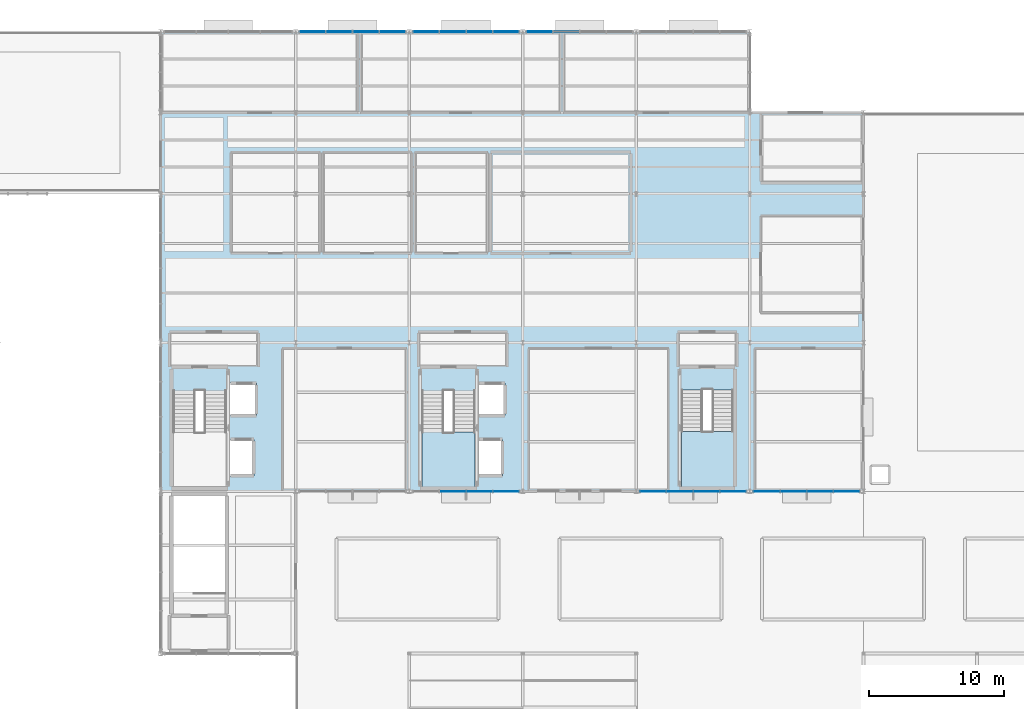
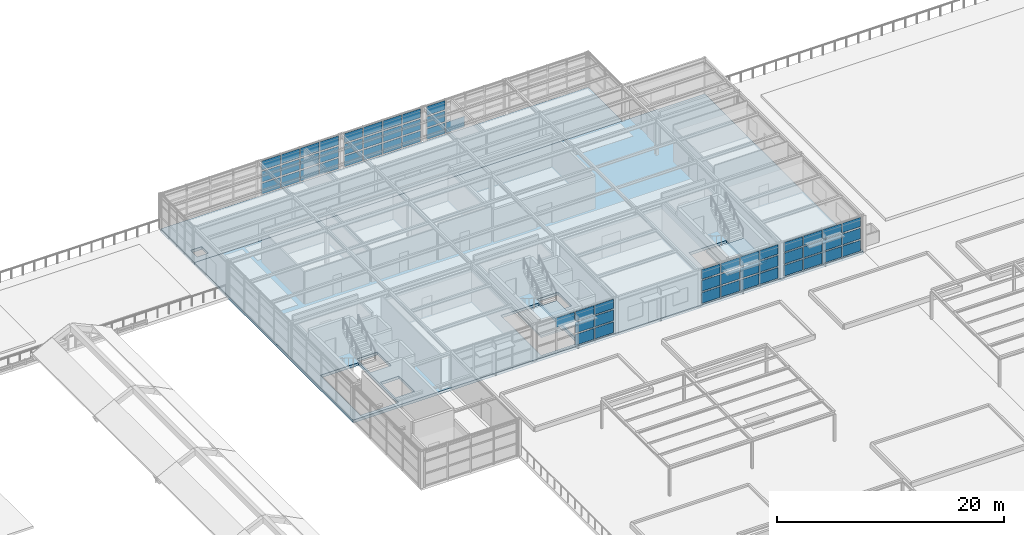
# One storey, part 34 of 49: 59 plates, 4 slabs, 8 elements without a shape of their own.
"""IFC4 building model written with IfcOpenShell, lengths in metres."""

from ifc_helpers import new_model, si_unit, direction, frame, origin, origin_2d, place, context, subcontext, project, spatial, polyline, rectangle, outline, extrude, material, layer, layer_set, type_object, element, aggregate, save


model = new_model("IFC4")

# Units and contexts
model_context = context("Model", 3, precision=1e-05, world=origin(), true_north=direction((0.0, 1.0)))
body_context = subcontext(model_context, "Body", "Model", "MODEL_VIEW")
ifc_project = project(units=[si_unit("LENGTHUNIT", "METRE"), si_unit("AREAUNIT", "SQUARE_METRE"), si_unit("VOLUMEUNIT", "CUBIC_METRE"), si_unit("PLANEANGLEUNIT", "RADIAN"), si_unit("MASSUNIT", "GRAM", prefix="KILO")], contexts=[model_context])

# Site, building, storey
site_placement = place(None, origin())
site = spatial("IfcSite", under=ifc_project, at=site_placement, CompositionType="ELEMENT")
building_placement = place(site_placement, origin())
building = spatial("IfcBuilding", under=site, at=building_placement, Name="Sitalva Quay Ferry Terminal", CompositionType="ELEMENT")
storey_placement = place(building_placement, frame((0.0, 0.0, 10.199951171875)))
storey = spatial("IfcBuildingStorey", under=building, at=storey_placement, Name="L03", CompositionType="ELEMENT", Elevation=10.199951171875)

# Curtain wall, plates
ifc_material_1 = material(Name="Anodised Aluminium & Low-E Glazing", Category="aluminium")
ifc_layer_1 = layer(ifc_material_1, 0.159912109375)
ifc_layer_set_1 = layer_set([ifc_layer_1], Name="Anodised Aluminium & Low-E Glazing")
curtain_wall_type = type_object("IfcCurtainWallType", Name="CW_Office_Unitised", PredefinedType="USERDEFINED", material=ifc_layer_set_1)
curtain_wall_1_placement = place(storey_placement, origin())
curtain_wall_1 = element("IfcCurtainWall", 1, at=curtain_wall_1_placement, inside=storey, type_object=curtain_wall_type, Name="L03 maritime bridge south glazing (CW-L03-128)", ObjectType="CURTAIN_WALL", PredefinedType="USERDEFINED")
ifc_material_2 = material(Name="Solar-Control Low-E Glazing", Category="glass")
ifc_layer_2 = layer(ifc_material_2, 0.031982421875)
ifc_layer_set_2 = layer_set([ifc_layer_2], Name="Solar-Control Low-E Glazing")
plate_type_1 = type_object("IfcPlateType", Name="Panel_Solar_IGU_32", PredefinedType="CURTAIN_PANEL", material=ifc_layer_set_2)
plate_1_placement = place(storey_placement, frame((95.614990234375, 78.0, 2.76318359375), z_axis=(0.0, 0.0, 1.0), x_axis=(1.0, 0.0, 0.0)))
plate_1 = element("IfcPlate", 2, at=plate_1_placement, type_object=plate_type_1, Name="CW-L03-128-P1-2", PredefinedType="CURTAIN_PANEL", context=body_context, shape_type="SweptSolid", body=[
    extrude(rectangle(XDim=1.89501953125, YDim=0.031982421875, at=origin_2d()), origin(), (0.0, 0.0, 1.0), 1.006591796875),
])
plate_2_placement = place(storey_placement, frame((97.5849609375, 78.0, 1.456787109375), z_axis=(0.0, 0.0, 1.0), x_axis=(1.0, 0.0, 0.0)))
plate_2 = element("IfcPlate", 3, at=plate_2_placement, type_object=plate_type_1, Name="CW-L03-128-P2-1", PredefinedType="CURTAIN_PANEL", context=body_context, shape_type="SweptSolid", body=[
    extrude(rectangle(XDim=1.89501953125, YDim=0.031982421875, at=origin_2d()), origin(), (0.0, 0.0, 1.0), 1.15673828125),
])
plate_3_placement = place(storey_placement, frame((97.5849609375, 78.0, 2.76318359375), z_axis=(0.0, 0.0, 1.0), x_axis=(1.0, 0.0, 0.0)))
plate_3 = element("IfcPlate", 4, at=plate_3_placement, type_object=plate_type_1, Name="CW-L03-128-P2-2", PredefinedType="CURTAIN_PANEL", context=body_context, shape_type="SweptSolid", body=[
    extrude(rectangle(XDim=1.89501953125, YDim=0.031982421875, at=origin_2d()), origin(), (0.0, 0.0, 1.0), 1.006591796875),
])
plate_4_placement = place(storey_placement, frame((99.554931640625, 78.0, 1.456787109375), z_axis=(0.0, 0.0, 1.0), x_axis=(1.0, 0.0, 0.0)))
plate_4 = element("IfcPlate", 5, at=plate_4_placement, type_object=plate_type_1, Name="CW-L03-128-P3-1", PredefinedType="CURTAIN_PANEL", context=body_context, shape_type="SweptSolid", body=[
    extrude(rectangle(XDim=1.89501953125, YDim=0.031982421875, at=origin_2d()), origin(), (0.0, 0.0, 1.0), 1.15673828125),
])
plate_5_placement = place(storey_placement, frame((99.554931640625, 78.0, 2.76318359375), z_axis=(0.0, 0.0, 1.0), x_axis=(1.0, 0.0, 0.0)))
plate_5 = element("IfcPlate", 6, at=plate_5_placement, type_object=plate_type_1, Name="CW-L03-128-P3-2", PredefinedType="CURTAIN_PANEL", context=body_context, shape_type="SweptSolid", body=[
    extrude(rectangle(XDim=1.89501953125, YDim=0.031982421875, at=origin_2d()), origin(), (0.0, 0.0, 1.0), 1.006591796875),
])

curtain_wall_2_placement = place(storey_placement, origin())
curtain_wall_2 = element("IfcCurtainWall", 7, at=curtain_wall_2_placement, inside=storey, type_object=curtain_wall_type, Name="L03 maritime bridge south glazing (CW-L03-129)", ObjectType="CURTAIN_WALL", PredefinedType="USERDEFINED")
plate_6_placement = place(storey_placement, frame((110.445068359375, 78.0, 1.456787109375), z_axis=(0.0, 0.0, 1.0), x_axis=(1.0, 0.0, 0.0)))
plate_6 = element("IfcPlate", 8, at=plate_6_placement, type_object=plate_type_1, Name="CW-L03-129-P0-1", PredefinedType="CURTAIN_PANEL", context=body_context, shape_type="SweptSolid", body=[
    extrude(rectangle(XDim=1.89501953125, YDim=0.031982421875, at=origin_2d()), origin(), (0.0, 0.0, 1.0), 1.15673828125),
])
plate_7_placement = place(storey_placement, frame((110.445068359375, 78.0, 2.76318359375), z_axis=(0.0, 0.0, 1.0), x_axis=(1.0, 0.0, 0.0)))
plate_7 = element("IfcPlate", 9, at=plate_7_placement, type_object=plate_type_1, Name="CW-L03-129-P0-2", PredefinedType="CURTAIN_PANEL", context=body_context, shape_type="SweptSolid", body=[
    extrude(rectangle(XDim=1.89501953125, YDim=0.031982421875, at=origin_2d()), origin(), (0.0, 0.0, 1.0), 1.006591796875),
])
plate_8_placement = place(storey_placement, frame((112.4150390625, 78.0, 1.456787109375), z_axis=(0.0, 0.0, 1.0), x_axis=(1.0, 0.0, 0.0)))
plate_8 = element("IfcPlate", 10, at=plate_8_placement, type_object=plate_type_1, Name="CW-L03-129-P1-1", PredefinedType="CURTAIN_PANEL", context=body_context, shape_type="SweptSolid", body=[
    extrude(rectangle(XDim=1.89501953125, YDim=0.031982421875, at=origin_2d()), origin(), (0.0, 0.0, 1.0), 1.15673828125),
])
plate_9_placement = place(storey_placement, frame((112.4150390625, 78.0, 2.76318359375), z_axis=(0.0, 0.0, 1.0), x_axis=(1.0, 0.0, 0.0)))
plate_9 = element("IfcPlate", 11, at=plate_9_placement, type_object=plate_type_1, Name="CW-L03-129-P1-2", PredefinedType="CURTAIN_PANEL", context=body_context, shape_type="SweptSolid", body=[
    extrude(rectangle(XDim=1.89501953125, YDim=0.031982421875, at=origin_2d()), origin(), (0.0, 0.0, 1.0), 1.006591796875),
])
plate_10_placement = place(storey_placement, frame((114.385009765625, 78.0, 1.456787109375), z_axis=(0.0, 0.0, 1.0), x_axis=(1.0, 0.0, 0.0)))
plate_10 = element("IfcPlate", 12, at=plate_10_placement, type_object=plate_type_1, Name="CW-L03-129-P2-1", PredefinedType="CURTAIN_PANEL", context=body_context, shape_type="SweptSolid", body=[
    extrude(rectangle(XDim=1.89501953125, YDim=0.031982421875, at=origin_2d()), origin(), (0.0, 0.0, 1.0), 1.15673828125),
])
plate_11_placement = place(storey_placement, frame((114.385009765625, 78.0, 2.76318359375), z_axis=(0.0, 0.0, 1.0), x_axis=(1.0, 0.0, 0.0)))
plate_11 = element("IfcPlate", 13, at=plate_11_placement, type_object=plate_type_1, Name="CW-L03-129-P2-2", PredefinedType="CURTAIN_PANEL", context=body_context, shape_type="SweptSolid", body=[
    extrude(rectangle(XDim=1.89501953125, YDim=0.031982421875, at=origin_2d()), origin(), (0.0, 0.0, 1.0), 1.006591796875),
])
plate_12_placement = place(storey_placement, frame((116.35498046875, 78.0, 1.456787109375), z_axis=(0.0, 0.0, 1.0), x_axis=(1.0, 0.0, 0.0)))
plate_12 = element("IfcPlate", 14, at=plate_12_placement, type_object=plate_type_1, Name="CW-L03-129-P3-1", PredefinedType="CURTAIN_PANEL", context=body_context, shape_type="SweptSolid", body=[
    extrude(rectangle(XDim=1.89501953125, YDim=0.031982421875, at=origin_2d()), origin(), (0.0, 0.0, 1.0), 1.15673828125),
])
plate_13_placement = place(storey_placement, frame((116.35498046875, 78.0, 2.76318359375), z_axis=(0.0, 0.0, 1.0), x_axis=(1.0, 0.0, 0.0)))
plate_13 = element("IfcPlate", 15, at=plate_13_placement, type_object=plate_type_1, Name="CW-L03-129-P3-2", PredefinedType="CURTAIN_PANEL", context=body_context, shape_type="SweptSolid", body=[
    extrude(rectangle(XDim=1.89501953125, YDim=0.031982421875, at=origin_2d()), origin(), (0.0, 0.0, 1.0), 1.006591796875),
])

curtain_wall_3_placement = place(storey_placement, origin())
curtain_wall_3 = element("IfcCurtainWall", 16, at=curtain_wall_3_placement, inside=storey, type_object=curtain_wall_type, Name="L03 maritime bridge south glazing (CW-L03-130)", ObjectType="CURTAIN_WALL", PredefinedType="USERDEFINED")
plate_14_placement = place(storey_placement, frame((118.844970703125, 78.0, 1.456787109375), z_axis=(0.0, 0.0, 1.0), x_axis=(1.0, 0.0, 0.0)))
plate_14 = element("IfcPlate", 17, at=plate_14_placement, type_object=plate_type_1, Name="CW-L03-130-P0-1", PredefinedType="CURTAIN_PANEL", context=body_context, shape_type="SweptSolid", body=[
    extrude(rectangle(XDim=1.89501953125, YDim=0.031982421875, at=origin_2d()), origin(), (0.0, 0.0, 1.0), 1.15673828125),
])
plate_15_placement = place(storey_placement, frame((118.844970703125, 78.0, 2.76318359375), z_axis=(0.0, 0.0, 1.0), x_axis=(1.0, 0.0, 0.0)))
plate_15 = element("IfcPlate", 18, at=plate_15_placement, type_object=plate_type_1, Name="CW-L03-130-P0-2", PredefinedType="CURTAIN_PANEL", context=body_context, shape_type="SweptSolid", body=[
    extrude(rectangle(XDim=1.89501953125, YDim=0.031982421875, at=origin_2d()), origin(), (0.0, 0.0, 1.0), 1.006591796875),
])
plate_16_placement = place(storey_placement, frame((120.81494140625, 78.0, 1.456787109375), z_axis=(0.0, 0.0, 1.0), x_axis=(1.0, 0.0, 0.0)))
plate_16 = element("IfcPlate", 19, at=plate_16_placement, type_object=plate_type_1, Name="CW-L03-130-P1-1", PredefinedType="CURTAIN_PANEL", context=body_context, shape_type="SweptSolid", body=[
    extrude(rectangle(XDim=1.89501953125, YDim=0.031982421875, at=origin_2d()), origin(), (0.0, 0.0, 1.0), 1.15673828125),
])
plate_17_placement = place(storey_placement, frame((120.81494140625, 78.0, 2.76318359375), z_axis=(0.0, 0.0, 1.0), x_axis=(1.0, 0.0, 0.0)))
plate_17 = element("IfcPlate", 20, at=plate_17_placement, type_object=plate_type_1, Name="CW-L03-130-P1-2", PredefinedType="CURTAIN_PANEL", context=body_context, shape_type="SweptSolid", body=[
    extrude(rectangle(XDim=1.89501953125, YDim=0.031982421875, at=origin_2d()), origin(), (0.0, 0.0, 1.0), 1.006591796875),
])
plate_18_placement = place(storey_placement, frame((122.784912109375, 78.0, 1.456787109375), z_axis=(0.0, 0.0, 1.0), x_axis=(1.0, 0.0, 0.0)))
plate_18 = element("IfcPlate", 21, at=plate_18_placement, type_object=plate_type_1, Name="CW-L03-130-P2-1", PredefinedType="CURTAIN_PANEL", context=body_context, shape_type="SweptSolid", body=[
    extrude(rectangle(XDim=1.89501953125, YDim=0.031982421875, at=origin_2d()), origin(), (0.0, 0.0, 1.0), 1.15673828125),
])
plate_19_placement = place(storey_placement, frame((122.784912109375, 78.0, 2.76318359375), z_axis=(0.0, 0.0, 1.0), x_axis=(1.0, 0.0, 0.0)))
plate_19 = element("IfcPlate", 22, at=plate_19_placement, type_object=plate_type_1, Name="CW-L03-130-P2-2", PredefinedType="CURTAIN_PANEL", context=body_context, shape_type="SweptSolid", body=[
    extrude(rectangle(XDim=1.89501953125, YDim=0.031982421875, at=origin_2d()), origin(), (0.0, 0.0, 1.0), 1.006591796875),
])
plate_20_placement = place(storey_placement, frame((124.7548828125, 78.0, 1.456787109375), z_axis=(0.0, 0.0, 1.0), x_axis=(1.0, 0.0, 0.0)))
plate_20 = element("IfcPlate", 23, at=plate_20_placement, type_object=plate_type_1, Name="CW-L03-130-P3-1", PredefinedType="CURTAIN_PANEL", context=body_context, shape_type="SweptSolid", body=[
    extrude(rectangle(XDim=1.89501953125, YDim=0.031982421875, at=origin_2d()), origin(), (0.0, 0.0, 1.0), 1.15673828125),
])
plate_21_placement = place(storey_placement, frame((124.7548828125, 78.0, 2.76318359375), z_axis=(0.0, 0.0, 1.0), x_axis=(1.0, 0.0, 0.0)))
plate_21 = element("IfcPlate", 24, at=plate_21_placement, type_object=plate_type_1, Name="CW-L03-130-P3-2", PredefinedType="CURTAIN_PANEL", context=body_context, shape_type="SweptSolid", body=[
    extrude(rectangle(XDim=1.89501953125, YDim=0.031982421875, at=origin_2d()), origin(), (0.0, 0.0, 1.0), 1.006591796875),
])

curtain_wall_4_placement = place(storey_placement, origin())
curtain_wall_4 = element("IfcCurtainWall", 25, at=curtain_wall_4_placement, inside=storey, type_object=curtain_wall_type, Name="L03 maritime admin north glazing (CW-L03-133)", ObjectType="CURTAIN_WALL", PredefinedType="USERDEFINED")
plate_22_placement = place(storey_placement, frame((85.2451171875, 112.0, 1.433349609375), z_axis=(0.0, 0.0, 1.0), x_axis=(1.0, 0.0, 0.0)))
plate_22 = element("IfcPlate", 26, at=plate_22_placement, type_object=plate_type_1, Name="CW-L03-133-P0-1", PredefinedType="CURTAIN_PANEL", context=body_context, shape_type="SweptSolid", body=[
    extrude(rectangle(XDim=1.89501953125, YDim=0.031982421875, at=origin_2d()), origin(), (0.0, 0.0, 1.0), 1.13330078125),
])
plate_23_placement = place(storey_placement, frame((85.2451171875, 112.0, 2.716796875), z_axis=(0.0, 0.0, 1.0), x_axis=(1.0, 0.0, 0.0)))
plate_23 = element("IfcPlate", 27, at=plate_23_placement, type_object=plate_type_1, Name="CW-L03-133-P0-2", PredefinedType="CURTAIN_PANEL", context=body_context, shape_type="SweptSolid", body=[
    extrude(rectangle(XDim=1.89501953125, YDim=0.031982421875, at=origin_2d()), origin(), (0.0, 0.0, 1.0), 0.9833984375),
])
plate_24_placement = place(storey_placement, frame((87.215087890625, 112.0, 1.433349609375), z_axis=(0.0, 0.0, 1.0), x_axis=(1.0, 0.0, 0.0)))
plate_24 = element("IfcPlate", 28, at=plate_24_placement, type_object=plate_type_1, Name="CW-L03-133-P1-1", PredefinedType="CURTAIN_PANEL", context=body_context, shape_type="SweptSolid", body=[
    extrude(rectangle(XDim=1.89501953125, YDim=0.031982421875, at=origin_2d()), origin(), (0.0, 0.0, 1.0), 1.13330078125),
])
plate_25_placement = place(storey_placement, frame((87.215087890625, 112.0, 2.716796875), z_axis=(0.0, 0.0, 1.0), x_axis=(1.0, 0.0, 0.0)))
plate_25 = element("IfcPlate", 29, at=plate_25_placement, type_object=plate_type_1, Name="CW-L03-133-P1-2", PredefinedType="CURTAIN_PANEL", context=body_context, shape_type="SweptSolid", body=[
    extrude(rectangle(XDim=1.89501953125, YDim=0.031982421875, at=origin_2d()), origin(), (0.0, 0.0, 1.0), 0.9833984375),
])
plate_26_placement = place(storey_placement, frame((89.18505859375, 112.0, 1.433349609375), z_axis=(0.0, 0.0, 1.0), x_axis=(1.0, 0.0, 0.0)))
plate_26 = element("IfcPlate", 30, at=plate_26_placement, type_object=plate_type_1, Name="CW-L03-133-P2-1", PredefinedType="CURTAIN_PANEL", context=body_context, shape_type="SweptSolid", body=[
    extrude(rectangle(XDim=1.89501953125, YDim=0.031982421875, at=origin_2d()), origin(), (0.0, 0.0, 1.0), 1.13330078125),
])
plate_27_placement = place(storey_placement, frame((89.18505859375, 112.0, 2.716796875), z_axis=(0.0, 0.0, 1.0), x_axis=(1.0, 0.0, 0.0)))
plate_27 = element("IfcPlate", 31, at=plate_27_placement, type_object=plate_type_1, Name="CW-L03-133-P2-2", PredefinedType="CURTAIN_PANEL", context=body_context, shape_type="SweptSolid", body=[
    extrude(rectangle(XDim=1.89501953125, YDim=0.031982421875, at=origin_2d()), origin(), (0.0, 0.0, 1.0), 0.9833984375),
])
plate_28_placement = place(storey_placement, frame((91.155029296875, 112.0, 1.433349609375), z_axis=(0.0, 0.0, 1.0), x_axis=(1.0, 0.0, 0.0)))
plate_28 = element("IfcPlate", 32, at=plate_28_placement, type_object=plate_type_1, Name="CW-L03-133-P3-1", PredefinedType="CURTAIN_PANEL", context=body_context, shape_type="SweptSolid", body=[
    extrude(rectangle(XDim=1.89501953125, YDim=0.031982421875, at=origin_2d()), origin(), (0.0, 0.0, 1.0), 1.13330078125),
])
plate_29_placement = place(storey_placement, frame((91.155029296875, 112.0, 2.716796875), z_axis=(0.0, 0.0, 1.0), x_axis=(1.0, 0.0, 0.0)))
plate_29 = element("IfcPlate", 33, at=plate_29_placement, type_object=plate_type_1, Name="CW-L03-133-P3-2", PredefinedType="CURTAIN_PANEL", context=body_context, shape_type="SweptSolid", body=[
    extrude(rectangle(XDim=1.89501953125, YDim=0.031982421875, at=origin_2d()), origin(), (0.0, 0.0, 1.0), 0.9833984375),
])

curtain_wall_5_placement = place(storey_placement, origin())
curtain_wall_5 = element("IfcCurtainWall", 34, at=curtain_wall_5_placement, inside=storey, type_object=curtain_wall_type, Name="L03 maritime admin north glazing (CW-L03-134)", ObjectType="CURTAIN_WALL", PredefinedType="USERDEFINED")
plate_30_placement = place(storey_placement, frame((93.64501953125, 112.0, 1.433349609375), z_axis=(0.0, 0.0, 1.0), x_axis=(1.0, 0.0, 0.0)))
plate_30 = element("IfcPlate", 35, at=plate_30_placement, type_object=plate_type_1, Name="CW-L03-134-P0-1", PredefinedType="CURTAIN_PANEL", context=body_context, shape_type="SweptSolid", body=[
    extrude(rectangle(XDim=1.89501953125, YDim=0.031982421875, at=origin_2d()), origin(), (0.0, 0.0, 1.0), 1.13330078125),
])
plate_31_placement = place(storey_placement, frame((93.64501953125, 112.0, 2.716796875), z_axis=(0.0, 0.0, 1.0), x_axis=(1.0, 0.0, 0.0)))
plate_31 = element("IfcPlate", 36, at=plate_31_placement, type_object=plate_type_1, Name="CW-L03-134-P0-2", PredefinedType="CURTAIN_PANEL", context=body_context, shape_type="SweptSolid", body=[
    extrude(rectangle(XDim=1.89501953125, YDim=0.031982421875, at=origin_2d()), origin(), (0.0, 0.0, 1.0), 0.9833984375),
])
plate_32_placement = place(storey_placement, frame((95.614990234375, 112.0, 1.433349609375), z_axis=(0.0, 0.0, 1.0), x_axis=(1.0, 0.0, 0.0)))
plate_32 = element("IfcPlate", 37, at=plate_32_placement, type_object=plate_type_1, Name="CW-L03-134-P1-1", PredefinedType="CURTAIN_PANEL", context=body_context, shape_type="SweptSolid", body=[
    extrude(rectangle(XDim=1.89501953125, YDim=0.031982421875, at=origin_2d()), origin(), (0.0, 0.0, 1.0), 1.13330078125),
])
plate_33_placement = place(storey_placement, frame((95.614990234375, 112.0, 2.716796875), z_axis=(0.0, 0.0, 1.0), x_axis=(1.0, 0.0, 0.0)))
plate_33 = element("IfcPlate", 38, at=plate_33_placement, type_object=plate_type_1, Name="CW-L03-134-P1-2", PredefinedType="CURTAIN_PANEL", context=body_context, shape_type="SweptSolid", body=[
    extrude(rectangle(XDim=1.89501953125, YDim=0.031982421875, at=origin_2d()), origin(), (0.0, 0.0, 1.0), 0.9833984375),
])
plate_34_placement = place(storey_placement, frame((97.5849609375, 112.0, 1.433349609375), z_axis=(0.0, 0.0, 1.0), x_axis=(1.0, 0.0, 0.0)))
plate_34 = element("IfcPlate", 39, at=plate_34_placement, type_object=plate_type_1, Name="CW-L03-134-P2-1", PredefinedType="CURTAIN_PANEL", context=body_context, shape_type="SweptSolid", body=[
    extrude(rectangle(XDim=1.89501953125, YDim=0.031982421875, at=origin_2d()), origin(), (0.0, 0.0, 1.0), 1.13330078125),
])
plate_35_placement = place(storey_placement, frame((97.5849609375, 112.0, 2.716796875), z_axis=(0.0, 0.0, 1.0), x_axis=(1.0, 0.0, 0.0)))
plate_35 = element("IfcPlate", 40, at=plate_35_placement, type_object=plate_type_1, Name="CW-L03-134-P2-2", PredefinedType="CURTAIN_PANEL", context=body_context, shape_type="SweptSolid", body=[
    extrude(rectangle(XDim=1.89501953125, YDim=0.031982421875, at=origin_2d()), origin(), (0.0, 0.0, 1.0), 0.9833984375),
])
plate_36_placement = place(storey_placement, frame((99.554931640625, 112.0, 1.433349609375), z_axis=(0.0, 0.0, 1.0), x_axis=(1.0, 0.0, 0.0)))
plate_36 = element("IfcPlate", 41, at=plate_36_placement, type_object=plate_type_1, Name="CW-L03-134-P3-1", PredefinedType="CURTAIN_PANEL", context=body_context, shape_type="SweptSolid", body=[
    extrude(rectangle(XDim=1.89501953125, YDim=0.031982421875, at=origin_2d()), origin(), (0.0, 0.0, 1.0), 1.13330078125),
])
plate_37_placement = place(storey_placement, frame((99.554931640625, 112.0, 2.716796875), z_axis=(0.0, 0.0, 1.0), x_axis=(1.0, 0.0, 0.0)))
plate_37 = element("IfcPlate", 42, at=plate_37_placement, type_object=plate_type_1, Name="CW-L03-134-P3-2", PredefinedType="CURTAIN_PANEL", context=body_context, shape_type="SweptSolid", body=[
    extrude(rectangle(XDim=1.89501953125, YDim=0.031982421875, at=origin_2d()), origin(), (0.0, 0.0, 1.0), 0.9833984375),
])

curtain_wall_6_placement = place(storey_placement, origin())
curtain_wall_6 = element("IfcCurtainWall", 43, at=curtain_wall_6_placement, inside=storey, type_object=curtain_wall_type, Name="L03 maritime admin north glazing (CW-L03-135)", ObjectType="CURTAIN_WALL", PredefinedType="USERDEFINED")
plate_38_placement = place(storey_placement, frame((102.044921875, 112.0, 1.433349609375), z_axis=(0.0, 0.0, 1.0), x_axis=(1.0, 0.0, 0.0)))
plate_38 = element("IfcPlate", 44, at=plate_38_placement, type_object=plate_type_1, Name="CW-L03-135-P0-1", PredefinedType="CURTAIN_PANEL", context=body_context, shape_type="SweptSolid", body=[
    extrude(rectangle(XDim=1.89501953125, YDim=0.031982421875, at=origin_2d()), origin(), (0.0, 0.0, 1.0), 1.13330078125),
])
plate_39_placement = place(storey_placement, frame((102.044921875, 112.0, 2.716796875), z_axis=(0.0, 0.0, 1.0), x_axis=(1.0, 0.0, 0.0)))
plate_39 = element("IfcPlate", 45, at=plate_39_placement, type_object=plate_type_1, Name="CW-L03-135-P0-2", PredefinedType="CURTAIN_PANEL", context=body_context, shape_type="SweptSolid", body=[
    extrude(rectangle(XDim=1.89501953125, YDim=0.031982421875, at=origin_2d()), origin(), (0.0, 0.0, 1.0), 0.9833984375),
])

# Plate
ifc_material_3 = material(Name="Insulated Spandrel Cassette", Category="aluminium")
ifc_layer_3 = layer(ifc_material_3, 0.0400390625)
ifc_layer_set_3 = layer_set([ifc_layer_3], Name="Insulated Spandrel Cassette")
plate_type_2 = type_object("IfcPlateType", Name="Panel_Spandrel_Alu_40", PredefinedType="CURTAIN_PANEL", material=ifc_layer_set_3)
plate_40_placement = place(storey_placement, frame((97.5849609375, 78.0, 0.14990234375), z_axis=(0.0, 0.0, 1.0), x_axis=(1.0, 0.0, 0.0)))
plate_40 = element("IfcPlate", 46, at=plate_40_placement, type_object=plate_type_2, Name="CW-L03-128-P2-0", PredefinedType="CURTAIN_PANEL", context=body_context, shape_type="SweptSolid", body=[
    extrude(rectangle(XDim=1.89501953125, YDim=0.0400390625, at=origin_2d()), origin(), (0.0, 0.0, 1.0), 1.15673828125),
])

plate_41_placement = place(storey_placement, frame((99.554931640625, 78.0, 0.14990234375), z_axis=(0.0, 0.0, 1.0), x_axis=(1.0, 0.0, 0.0)))
plate_41 = element("IfcPlate", 47, at=plate_41_placement, type_object=plate_type_2, Name="CW-L03-128-P3-0", PredefinedType="CURTAIN_PANEL", context=body_context, shape_type="SweptSolid", body=[
    extrude(rectangle(XDim=1.89501953125, YDim=0.0400390625, at=origin_2d()), origin(), (0.0, 0.0, 1.0), 1.15673828125),
])

aggregate(curtain_wall_1, [plate_1, plate_40, plate_2, plate_3, plate_41, plate_4, plate_5])

plate_42_placement = place(storey_placement, frame((110.445068359375, 78.0, 0.14990234375), z_axis=(0.0, 0.0, 1.0), x_axis=(1.0, 0.0, 0.0)))
plate_42 = element("IfcPlate", 48, at=plate_42_placement, type_object=plate_type_2, Name="CW-L03-129-P0-0", PredefinedType="CURTAIN_PANEL", context=body_context, shape_type="SweptSolid", body=[
    extrude(rectangle(XDim=1.89501953125, YDim=0.0400390625, at=origin_2d()), origin(), (0.0, 0.0, 1.0), 1.15673828125),
])

plate_43_placement = place(storey_placement, frame((112.4150390625, 78.0, 0.14990234375), z_axis=(0.0, 0.0, 1.0), x_axis=(1.0, 0.0, 0.0)))
plate_43 = element("IfcPlate", 49, at=plate_43_placement, type_object=plate_type_2, Name="CW-L03-129-P1-0", PredefinedType="CURTAIN_PANEL", context=body_context, shape_type="SweptSolid", body=[
    extrude(rectangle(XDim=1.89501953125, YDim=0.0400390625, at=origin_2d()), origin(), (0.0, 0.0, 1.0), 1.15673828125),
])

plate_44_placement = place(storey_placement, frame((114.385009765625, 78.0, 0.14990234375), z_axis=(0.0, 0.0, 1.0), x_axis=(1.0, 0.0, 0.0)))
plate_44 = element("IfcPlate", 50, at=plate_44_placement, type_object=plate_type_2, Name="CW-L03-129-P2-0", PredefinedType="CURTAIN_PANEL", context=body_context, shape_type="SweptSolid", body=[
    extrude(rectangle(XDim=1.89501953125, YDim=0.0400390625, at=origin_2d()), origin(), (0.0, 0.0, 1.0), 1.15673828125),
])

plate_45_placement = place(storey_placement, frame((116.35498046875, 78.0, 0.14990234375), z_axis=(0.0, 0.0, 1.0), x_axis=(1.0, 0.0, 0.0)))
plate_45 = element("IfcPlate", 51, at=plate_45_placement, type_object=plate_type_2, Name="CW-L03-129-P3-0", PredefinedType="CURTAIN_PANEL", context=body_context, shape_type="SweptSolid", body=[
    extrude(rectangle(XDim=1.89501953125, YDim=0.0400390625, at=origin_2d()), origin(), (0.0, 0.0, 1.0), 1.15673828125),
])

aggregate(curtain_wall_2, [plate_42, plate_6, plate_7, plate_43, plate_8, plate_9, plate_44, plate_10, plate_11, plate_45, plate_12, plate_13])

plate_46_placement = place(storey_placement, frame((118.844970703125, 78.0, 0.14990234375), z_axis=(0.0, 0.0, 1.0), x_axis=(1.0, 0.0, 0.0)))
plate_46 = element("IfcPlate", 52, at=plate_46_placement, type_object=plate_type_2, Name="CW-L03-130-P0-0", PredefinedType="CURTAIN_PANEL", context=body_context, shape_type="SweptSolid", body=[
    extrude(rectangle(XDim=1.89501953125, YDim=0.0400390625, at=origin_2d()), origin(), (0.0, 0.0, 1.0), 1.15673828125),
])

plate_47_placement = place(storey_placement, frame((120.81494140625, 78.0, 0.14990234375), z_axis=(0.0, 0.0, 1.0), x_axis=(1.0, 0.0, 0.0)))
plate_47 = element("IfcPlate", 53, at=plate_47_placement, type_object=plate_type_2, Name="CW-L03-130-P1-0", PredefinedType="CURTAIN_PANEL", context=body_context, shape_type="SweptSolid", body=[
    extrude(rectangle(XDim=1.89501953125, YDim=0.0400390625, at=origin_2d()), origin(), (0.0, 0.0, 1.0), 1.15673828125),
])

plate_48_placement = place(storey_placement, frame((122.784912109375, 78.0, 0.14990234375), z_axis=(0.0, 0.0, 1.0), x_axis=(1.0, 0.0, 0.0)))
plate_48 = element("IfcPlate", 54, at=plate_48_placement, type_object=plate_type_2, Name="CW-L03-130-P2-0", PredefinedType="CURTAIN_PANEL", context=body_context, shape_type="SweptSolid", body=[
    extrude(rectangle(XDim=1.89501953125, YDim=0.0400390625, at=origin_2d()), origin(), (0.0, 0.0, 1.0), 1.15673828125),
])

plate_49_placement = place(storey_placement, frame((124.7548828125, 78.0, 0.14990234375), z_axis=(0.0, 0.0, 1.0), x_axis=(1.0, 0.0, 0.0)))
plate_49 = element("IfcPlate", 55, at=plate_49_placement, type_object=plate_type_2, Name="CW-L03-130-P3-0", PredefinedType="CURTAIN_PANEL", context=body_context, shape_type="SweptSolid", body=[
    extrude(rectangle(XDim=1.89501953125, YDim=0.0400390625, at=origin_2d()), origin(), (0.0, 0.0, 1.0), 1.15673828125),
])

aggregate(curtain_wall_3, [plate_46, plate_14, plate_15, plate_47, plate_16, plate_17, plate_48, plate_18, plate_19, plate_49, plate_20, plate_21])

plate_50_placement = place(storey_placement, frame((85.2451171875, 112.0, 0.150146484375), z_axis=(0.0, 0.0, 1.0), x_axis=(1.0, 0.0, 0.0)))
plate_50 = element("IfcPlate", 56, at=plate_50_placement, type_object=plate_type_2, Name="CW-L03-133-P0-0", PredefinedType="CURTAIN_PANEL", context=body_context, shape_type="SweptSolid", body=[
    extrude(rectangle(XDim=1.89501953125, YDim=0.0400390625, at=origin_2d()), origin(), (0.0, 0.0, 1.0), 1.13330078125),
])

plate_51_placement = place(storey_placement, frame((87.215087890625, 112.0, 0.150146484375), z_axis=(0.0, 0.0, 1.0), x_axis=(1.0, 0.0, 0.0)))
plate_51 = element("IfcPlate", 57, at=plate_51_placement, type_object=plate_type_2, Name="CW-L03-133-P1-0", PredefinedType="CURTAIN_PANEL", context=body_context, shape_type="SweptSolid", body=[
    extrude(rectangle(XDim=1.89501953125, YDim=0.0400390625, at=origin_2d()), origin(), (0.0, 0.0, 1.0), 1.13330078125),
])

plate_52_placement = place(storey_placement, frame((89.18505859375, 112.0, 0.150146484375), z_axis=(0.0, 0.0, 1.0), x_axis=(1.0, 0.0, 0.0)))
plate_52 = element("IfcPlate", 58, at=plate_52_placement, type_object=plate_type_2, Name="CW-L03-133-P2-0", PredefinedType="CURTAIN_PANEL", context=body_context, shape_type="SweptSolid", body=[
    extrude(rectangle(XDim=1.89501953125, YDim=0.0400390625, at=origin_2d()), origin(), (0.0, 0.0, 1.0), 1.13330078125),
])

plate_53_placement = place(storey_placement, frame((91.155029296875, 112.0, 0.150146484375), z_axis=(0.0, 0.0, 1.0), x_axis=(1.0, 0.0, 0.0)))
plate_53 = element("IfcPlate", 59, at=plate_53_placement, type_object=plate_type_2, Name="CW-L03-133-P3-0", PredefinedType="CURTAIN_PANEL", context=body_context, shape_type="SweptSolid", body=[
    extrude(rectangle(XDim=1.89501953125, YDim=0.0400390625, at=origin_2d()), origin(), (0.0, 0.0, 1.0), 1.13330078125),
])

aggregate(curtain_wall_4, [plate_50, plate_22, plate_23, plate_51, plate_24, plate_25, plate_52, plate_26, plate_27, plate_53, plate_28, plate_29])

plate_54_placement = place(storey_placement, frame((93.64501953125, 112.0, 0.150146484375), z_axis=(0.0, 0.0, 1.0), x_axis=(1.0, 0.0, 0.0)))
plate_54 = element("IfcPlate", 60, at=plate_54_placement, type_object=plate_type_2, Name="CW-L03-134-P0-0", PredefinedType="CURTAIN_PANEL", context=body_context, shape_type="SweptSolid", body=[
    extrude(rectangle(XDim=1.89501953125, YDim=0.0400390625, at=origin_2d()), origin(), (0.0, 0.0, 1.0), 1.13330078125),
])

plate_55_placement = place(storey_placement, frame((95.614990234375, 112.0, 0.150146484375), z_axis=(0.0, 0.0, 1.0), x_axis=(1.0, 0.0, 0.0)))
plate_55 = element("IfcPlate", 61, at=plate_55_placement, type_object=plate_type_2, Name="CW-L03-134-P1-0", PredefinedType="CURTAIN_PANEL", context=body_context, shape_type="SweptSolid", body=[
    extrude(rectangle(XDim=1.89501953125, YDim=0.0400390625, at=origin_2d()), origin(), (0.0, 0.0, 1.0), 1.13330078125),
])

plate_56_placement = place(storey_placement, frame((97.5849609375, 112.0, 0.150146484375), z_axis=(0.0, 0.0, 1.0), x_axis=(1.0, 0.0, 0.0)))
plate_56 = element("IfcPlate", 62, at=plate_56_placement, type_object=plate_type_2, Name="CW-L03-134-P2-0", PredefinedType="CURTAIN_PANEL", context=body_context, shape_type="SweptSolid", body=[
    extrude(rectangle(XDim=1.89501953125, YDim=0.0400390625, at=origin_2d()), origin(), (0.0, 0.0, 1.0), 1.13330078125),
])

plate_57_placement = place(storey_placement, frame((99.554931640625, 112.0, 0.150146484375), z_axis=(0.0, 0.0, 1.0), x_axis=(1.0, 0.0, 0.0)))
plate_57 = element("IfcPlate", 63, at=plate_57_placement, type_object=plate_type_2, Name="CW-L03-134-P3-0", PredefinedType="CURTAIN_PANEL", context=body_context, shape_type="SweptSolid", body=[
    extrude(rectangle(XDim=1.89501953125, YDim=0.0400390625, at=origin_2d()), origin(), (0.0, 0.0, 1.0), 1.13330078125),
])

aggregate(curtain_wall_5, [plate_54, plate_30, plate_31, plate_55, plate_32, plate_33, plate_56, plate_34, plate_35, plate_57, plate_36, plate_37])

plate_58_placement = place(storey_placement, frame((102.044921875, 112.0, 0.150146484375), z_axis=(0.0, 0.0, 1.0), x_axis=(1.0, 0.0, 0.0)))
plate_58 = element("IfcPlate", 64, at=plate_58_placement, type_object=plate_type_2, Name="CW-L03-135-P0-0", PredefinedType="CURTAIN_PANEL", context=body_context, shape_type="SweptSolid", body=[
    extrude(rectangle(XDim=1.89501953125, YDim=0.0400390625, at=origin_2d()), origin(), (0.0, 0.0, 1.0), 1.13330078125),
])

plate_59_placement = place(storey_placement, frame((104.014892578125, 112.0, 0.150146484375), z_axis=(0.0, 0.0, 1.0), x_axis=(1.0, 0.0, 0.0)))
plate_59 = element("IfcPlate", 65, at=plate_59_placement, type_object=plate_type_2, Name="CW-L03-135-P1-0", PredefinedType="CURTAIN_PANEL", context=body_context, shape_type="SweptSolid", body=[
    extrude(rectangle(XDim=1.89501953125, YDim=0.0400390625, at=origin_2d()), origin(), (0.0, 0.0, 1.0), 1.13330078125),
])

aggregate(curtain_wall_6, [plate_58, plate_38, plate_39, plate_59])

# Stair, slab
ifc_material_4 = material(Name="Concrete C35/45", Category="concrete")
stair_type_1 = type_object("IfcStairType", Name="Stair_CoreDogLeg_1500", PredefinedType="HALF_TURN_STAIR", material=ifc_material_4)
stair_1_placement = place(storey_placement, origin())
stair_1 = element("IfcStair", 66, at=stair_1_placement, inside=storey, type_object=stair_type_1, Name="L03 Core C2 stair ST-02", PredefinedType="HALF_TURN_STAIR")
ifc_material_5 = material(Name="Concrete C35/45", Category="concrete")
ifc_layer_4 = layer(ifc_material_5, 0.199951171875)
ifc_layer_set_4 = layer_set([ifc_layer_4], Name="Concrete C35/45")
slab_type_1 = type_object("IfcSlabType", Name="Slab_StairLanding_200", PredefinedType="LANDING", material=ifc_layer_set_4)
slab_1_placement = place(storey_placement, frame((0.0, 0.0, 1.900146484375)))
slab_1 = element("IfcSlab", 67, at=slab_1_placement, type_object=slab_type_1, Name="ST-02 landing 1", PredefinedType="LANDING", context=body_context, shape_type="SweptSolid", body=[
    extrude(outline(polyline([(93.330078125, 82.3701171875), (93.330078125, 78.330078125), (97.27001953125, 78.330078125), (97.27001953125, 82.3701171875), (93.330078125, 82.3701171875)])), origin(), (0.0, 0.0, 1.0), 0.199951171875),
])
aggregate(stair_1, [slab_1])

ifc_material_6 = material(Name="Concrete C35/45", Category="concrete")
stair_type_2 = type_object("IfcStairType", Name="Stair_CoreDogLeg_1400", PredefinedType="HALF_TURN_STAIR", material=ifc_material_6)
stair_2_placement = place(storey_placement, origin())
stair_2 = element("IfcStair", 68, at=stair_2_placement, inside=storey, type_object=stair_type_2, Name="L03 Core C4 stair ST-04", PredefinedType="HALF_TURN_STAIR")
slab_2_placement = place(storey_placement, frame((0.0, 0.0, 1.900146484375)))
slab_2 = element("IfcSlab", 69, at=slab_2_placement, type_object=slab_type_1, Name="ST-04 landing 1", PredefinedType="LANDING", context=body_context, shape_type="SweptSolid", body=[
    extrude(outline(polyline([(112.530029296875, 82.429931640625), (112.530029296875, 78.330078125), (116.3701171875, 78.330078125), (116.3701171875, 82.429931640625), (112.530029296875, 82.429931640625)])), origin(), (0.0, 0.0, 1.0), 0.199951171875),
])
aggregate(stair_2, [slab_2])

# Slabs
ifc_material_7 = material(Name="Concrete C35/45", Category="concrete")
ifc_layer_5 = layer(ifc_material_7, 0.300048828125)
ifc_layer_set_5 = layer_set([ifc_layer_5], Name="Concrete C35/45")
slab_type_2 = type_object("IfcSlabType", Name="Slab_Transfer_300", PredefinedType="FLOOR", material=ifc_layer_set_5)
slab_3_placement = place(storey_placement, frame((0.0, 0.0, -0.300048828125)))
element("IfcSlab", 70, at=slab_3_placement, inside=storey, type_object=slab_type_2, Name="L03 Navigation bridge L03 main floor 058", PredefinedType="FLOOR", context=body_context, shape_type="SweptSolid", body=[
    extrude(outline(polyline([(74.0, 78.0), (126.0, 78.0), (126.0, 106.0), (74.0, 106.0), (74.0, 78.0)]), holes=[polyline([(74.949951171875, 78.35009765625), (74.949951171875, 85.429931640625), (78.85009765625, 85.429931640625), (78.85009765625, 78.35009765625), (74.949951171875, 78.35009765625)]), polyline([(79.0, 79.14990234375), (79.0, 81.85009765625), (80.89990234375, 81.85009765625), (80.89990234375, 79.14990234375), (79.0, 79.14990234375)]), polyline([(79.0, 83.60009765625), (79.0, 86.0), (81.10009765625, 86.0), (81.10009765625, 83.60009765625), (79.0, 83.60009765625)]), polyline([(93.35009765625, 78.35009765625), (93.35009765625, 85.429931640625), (97.25, 85.429931640625), (97.25, 78.35009765625), (93.35009765625, 78.35009765625)]), polyline([(97.39990234375, 79.14990234375), (97.39990234375, 81.85009765625), (99.300048828125, 81.85009765625), (99.300048828125, 79.14990234375), (97.39990234375, 79.14990234375)]), polyline([(97.39990234375, 83.60009765625), (97.39990234375, 86.0), (99.5, 86.0), (99.5, 83.60009765625), (97.39990234375, 83.60009765625)]), polyline([(112.550048828125, 78.35009765625), (112.550048828125, 85.489990234375), (116.35009765625, 85.489990234375), (116.35009765625, 78.35009765625), (112.550048828125, 78.35009765625)])]), origin(), (0.0, 0.0, 1.0), 0.300048828125),
])
slab_4_placement = place(storey_placement, frame((0.0, 0.0, -0.300048828125)))
element("IfcSlab", 71, at=slab_4_placement, inside=storey, type_object=slab_type_2, Name="L03 Navigation bridge L03 forecourt bar 059", PredefinedType="FLOOR", context=body_context, shape_type="SweptSolid", body=[
    extrude(outline(polyline([(74.0, 106.0), (117.60009765625, 106.0), (117.60009765625, 112.0), (74.0, 112.0), (74.0, 106.0)]), holes=[polyline([(74.64990234375, 106.64990234375), (74.64990234375, 107.800048828125), (75.800048828125, 107.800048828125), (75.800048828125, 106.64990234375), (74.64990234375, 106.64990234375)])]), origin(), (0.0, 0.0, 1.0), 0.300048828125),
])

save(model, "model.ifc")
